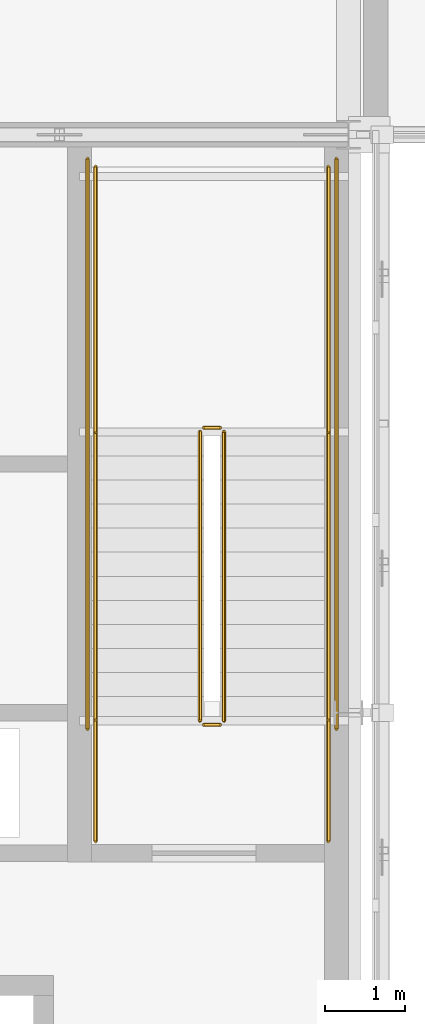
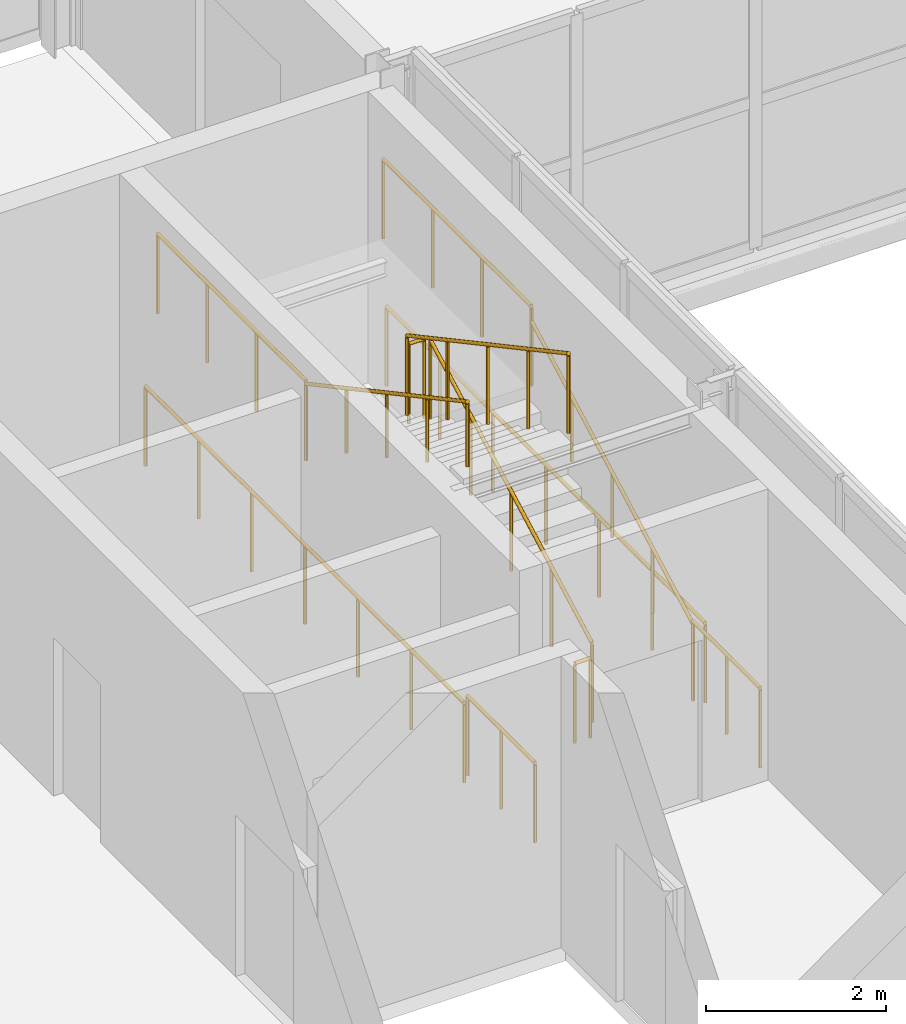
# One storey, part 120 of 126: 12 railings.
"""IFC4 building model written with IfcOpenShell, lengths in metres."""

from ifc_helpers import new_model, si_unit, direction, frame, origin, origin_2d, place, context, subcontext, project, spatial, circle, extrude, material, type_object, element, save


model = new_model("IFC4")

# Units and contexts
model_context = context("Model", 3, precision=1e-05, world=origin(), true_north=direction((0.0, 1.0)))
body_context = subcontext(model_context, "Body", "Model", "MODEL_VIEW")
ifc_project = project(units=[si_unit("LENGTHUNIT", "METRE"), si_unit("AREAUNIT", "SQUARE_METRE"), si_unit("VOLUMEUNIT", "CUBIC_METRE"), si_unit("PLANEANGLEUNIT", "RADIAN"), si_unit("MASSUNIT", "GRAM", prefix="KILO")], contexts=[model_context])

# Site, building, storey
site_placement = place(None, origin())
site = spatial("IfcSite", under=ifc_project, at=site_placement, CompositionType="ELEMENT")
building_placement = place(site_placement, origin())
building = spatial("IfcBuilding", under=site, at=building_placement, Name="Zlatovets Crest Museum", CompositionType="ELEMENT")
storey_placement = place(building_placement, frame((0.0, 0.0, 8.699951171875)))
storey = spatial("IfcBuildingStorey", under=building, at=storey_placement, Name="L02", CompositionType="ELEMENT", Elevation=8.699951171875)

# Railings
ifc_material_1 = material(Name="Painted steel safety guardrail", Category="steel")
railing_type_1 = type_object("IfcRailingType", Name="StairGuard_SG01", PredefinedType="GUARDRAIL", material=ifc_material_1)
railing_1_placement = place(storey_placement, frame((106.449951171875, 14.300048828125, 0.16162109375)))
element("IfcRailing", 1, at=railing_1_placement, inside=storey, type_object=railing_type_1, Name="L02 ST9 stair guard 1", PredefinedType="GUARDRAIL", context=body_context, shape_type="SweptSolid", body=[
    extrude(circle(Radius=0.02392578125, at=origin_2d()), frame((0.0, 0.0, 1.076171875), z_axis=(0.0, 0.880461512865, 0.474117627138), x_axis=(-1.0, 0.0, 0.0)), (0.0, 0.0, 1.0), 4.088623046875),
    extrude(circle(Radius=0.02099609375, at=origin_2d()), origin(), (0.0, 0.0, 1.0), 1.052001953125),
    extrude(circle(Radius=0.02099609375, at=origin_2d()), frame((0.0, 0.89990234375, 0.484619140625)), (0.0, 0.0, 1.0), 1.052001953125),
    extrude(circle(Radius=0.02099609375, at=origin_2d()), frame((0.0, 1.7998046875, 0.96923828125)), (0.0, 0.0, 1.0), 1.052001953125),
    extrude(circle(Radius=0.02099609375, at=origin_2d()), frame((0.0, 2.699951171875, 1.453857421875)), (0.0, 0.0, 1.0), 1.052001953125),
    extrude(circle(Radius=0.02099609375, at=origin_2d()), frame((0.0, 3.599853515625, 1.9384765625)), (0.0, 0.0, 1.0), 1.052001953125),
])
railing_2_placement = place(storey_placement, frame((106.39990234375, 17.949951171875, 2.10009765625)))
element("IfcRailing", 2, at=railing_2_placement, inside=storey, type_object=railing_type_1, Name="L02 ST9 stair guard 2", PredefinedType="GUARDRAIL", context=body_context, shape_type="SweptSolid", body=[
    extrude(circle(Radius=0.02392578125, at=origin_2d()), frame((0.0, 0.0, 1.076171875), z_axis=(-1.0, 0.0, 0.0), x_axis=(0.0, -1.0, 0.0)), (0.0, 0.0, 1.0), 0.199951171875),
    extrude(circle(Radius=0.02099609375, at=origin_2d()), origin(), (0.0, 0.0, 1.0), 1.052001953125),
    extrude(circle(Radius=0.02099609375, at=origin_2d()), frame((-0.199951171875, 0.0, 0.0)), (0.0, 0.0, 1.0), 1.052001953125),
])
for number, where, name in (
    (3, (107.75, 17.89990234375, 2.10009765625), "L02 ST9 stair guard 3"),
    (4, (104.85009765625, 17.89990234375, 2.10009765625), "L02 ST9 stair guard 4"),
):
    element("IfcRailing", number, at=place(storey_placement, frame(where)), inside=storey, type_object=railing_type_1, Name=name, PredefinedType="GUARDRAIL", context=body_context, shape_type="SweptSolid", body=[
        extrude(circle(Radius=0.02392578125, at=origin_2d()), frame((0.0, 0.0, 1.076171875), z_axis=(0.0, 1.0, 0.0), x_axis=(-1.0, 0.0, 0.0)), (0.0, 0.0, 1.0), 3.300048828125),
        extrude(circle(Radius=0.02099609375, at=origin_2d()), origin(), (0.0, 0.0, 1.0), 1.052001953125),
        extrude(circle(Radius=0.02099609375, at=origin_2d()), frame((0.0, 1.10009765625, 0.0)), (0.0, 0.0, 1.0), 1.052001953125),
        extrude(circle(Radius=0.02099609375, at=origin_2d()), frame((0.0, 2.199951171875, 0.0)), (0.0, 0.0, 1.0), 1.052001953125),
        extrude(circle(Radius=0.02099609375, at=origin_2d()), frame((0.0, 3.300048828125, 0.0)), (0.0, 0.0, 1.0), 1.052001953125),
    ])
railing_3_placement = place(storey_placement, frame((106.14990234375, 17.89990234375, 2.261474609375)))
element("IfcRailing", 5, at=railing_3_placement, inside=storey, type_object=railing_type_1, Name="L02 ST9 stair guard 5", PredefinedType="GUARDRAIL", context=body_context, shape_type="SweptSolid", body=[
    extrude(circle(Radius=0.02392578125, at=origin_2d()), frame((0.0, 0.0, 1.076171875), z_axis=(0.0, -0.880461512865, 0.474117627138), x_axis=(1.0, 0.0, 0.0)), (0.0, 0.0, 1.0), 4.088623046875),
    extrude(circle(Radius=0.02099609375, at=origin_2d()), origin(), (0.0, 0.0, 1.0), 1.052001953125),
    extrude(circle(Radius=0.02099609375, at=origin_2d()), frame((0.0, -0.89990234375, 0.484619140625)), (0.0, 0.0, 1.0), 1.052001953125),
    extrude(circle(Radius=0.02099609375, at=origin_2d()), frame((0.0, -1.7998046875, 0.96923828125)), (0.0, 0.0, 1.0), 1.052001953125),
    extrude(circle(Radius=0.02099609375, at=origin_2d()), frame((0.0, -2.699951171875, 1.453857421875)), (0.0, 0.0, 1.0), 1.052001953125),
    extrude(circle(Radius=0.02099609375, at=origin_2d()), frame((0.0, -3.599853515625, 1.9384765625)), (0.0, 0.0, 1.0), 1.052001953125),
])
railing_4_placement = place(storey_placement, frame((106.39990234375, 14.25, 0.0)))
element("IfcRailing", 6, at=railing_4_placement, inside=storey, type_object=railing_type_1, Name="L02 ST9 stair guard 6", PredefinedType="GUARDRAIL", context=body_context, shape_type="SweptSolid", body=[
    extrude(circle(Radius=0.02392578125, at=origin_2d()), frame((0.0, 0.0, 1.076171875), z_axis=(-1.0, 0.0, 0.0), x_axis=(0.0, -1.0, 0.0)), (0.0, 0.0, 1.0), 0.199951171875),
    extrude(circle(Radius=0.02099609375, at=origin_2d()), origin(), (0.0, 0.0, 1.0), 1.052001953125),
    extrude(circle(Radius=0.02099609375, at=origin_2d()), frame((-0.199951171875, 0.0, 0.0)), (0.0, 0.0, 1.0), 1.052001953125),
])
for number, where, name in (
    (7, (107.75, 12.800048828125, 0.0), "L02 ST9 stair guard 7"),
    (8, (104.85009765625, 12.800048828125, 0.0), "L02 ST9 stair guard 8"),
):
    element("IfcRailing", number, at=place(storey_placement, frame(where)), inside=storey, type_object=railing_type_1, Name=name, PredefinedType="GUARDRAIL", context=body_context, shape_type="SweptSolid", body=[
        extrude(circle(Radius=0.02392578125, at=origin_2d()), frame((0.0, 0.0, 1.076171875), z_axis=(0.0, 1.0, 0.0), x_axis=(-1.0, 0.0, 0.0)), (0.0, 0.0, 1.0), 1.5),
        extrude(circle(Radius=0.02099609375, at=origin_2d()), origin(), (0.0, 0.0, 1.0), 1.052001953125),
        extrude(circle(Radius=0.02099609375, at=origin_2d()), frame((0.0, 0.75, 0.0)), (0.0, 0.0, 1.0), 1.052001953125),
        extrude(circle(Radius=0.02099609375, at=origin_2d()), frame((0.0, 1.5, 0.0)), (0.0, 0.0, 1.0), 1.052001953125),
    ])
for number, where, name in (
    (9, (107.85009765625, 14.199951171875, 0.0), "L02 ST9 stair guard 9"),
    (10, (104.75, 14.199951171875, 0.0), "L02 ST9 stair guard 10"),
):
    element("IfcRailing", number, at=place(storey_placement, frame(where)), inside=storey, type_object=railing_type_1, Name=name, PredefinedType="GUARDRAIL", context=body_context, shape_type="SweptSolid", body=[
        extrude(circle(Radius=0.02392578125, at=origin_2d()), frame((0.0, 0.0, 1.076171875), z_axis=(0.0, 1.0, 0.0), x_axis=(-1.0, 0.0, 0.0)), (0.0, 0.0, 1.0), 7.10009765625),
        extrude(circle(Radius=0.02099609375, at=origin_2d()), origin(), (0.0, 0.0, 1.0), 1.052001953125),
        extrude(circle(Radius=0.02099609375, at=origin_2d()), frame((0.0, 1.183349609375, 0.0)), (0.0, 0.0, 1.0), 1.052001953125),
        extrude(circle(Radius=0.02099609375, at=origin_2d()), frame((0.0, 2.36669921875, 0.0)), (0.0, 0.0, 1.0), 1.052001953125),
        extrude(circle(Radius=0.02099609375, at=origin_2d()), frame((0.0, 3.550048828125, 0.0)), (0.0, 0.0, 1.0), 1.052001953125),
        extrude(circle(Radius=0.02099609375, at=origin_2d()), frame((0.0, 4.7333984375, 0.0)), (0.0, 0.0, 1.0), 1.052001953125),
        extrude(circle(Radius=0.02099609375, at=origin_2d()), frame((0.0, 5.916748046875, 0.0)), (0.0, 0.0, 1.0), 1.052001953125),
        extrude(circle(Radius=0.02099609375, at=origin_2d()), frame((0.0, 7.10009765625, 0.0)), (0.0, 0.0, 1.0), 1.052001953125),
    ])
ifc_material_2 = material(Name="Brushed bronze stair handrail")
railing_type_2 = type_object("IfcRailingType", Name="StairHandrail_SH01", PredefinedType="HANDRAIL", material=ifc_material_2)
railing_5_placement = place(storey_placement, frame((107.75, 14.300048828125, 0.16162109375)))
element("IfcRailing", 11, at=railing_5_placement, inside=storey, type_object=railing_type_2, Name="L02 ST9 stair handrail 1", PredefinedType="HANDRAIL", context=body_context, shape_type="SweptSolid", body=[
    extrude(circle(Radius=0.02392578125, at=origin_2d()), frame((0.0, 0.0, 0.8759765625), z_axis=(0.0, 0.880461512865, 0.474117627138), x_axis=(-1.0, 0.0, 0.0)), (0.0, 0.0, 1.0), 4.088623046875),
    extrude(circle(Radius=0.02099609375, at=origin_2d()), origin(), (0.0, 0.0, 1.0), 0.851806640625),
    extrude(circle(Radius=0.02099609375, at=origin_2d()), frame((0.0, 0.89990234375, 0.484619140625)), (0.0, 0.0, 1.0), 0.851806640625),
    extrude(circle(Radius=0.02099609375, at=origin_2d()), frame((0.0, 1.7998046875, 0.96923828125)), (0.0, 0.0, 1.0), 0.851806640625),
    extrude(circle(Radius=0.02099609375, at=origin_2d()), frame((0.0, 2.699951171875, 1.453857421875)), (0.0, 0.0, 1.0), 0.851806640625),
    extrude(circle(Radius=0.02099609375, at=origin_2d()), frame((0.0, 3.599853515625, 1.9384765625)), (0.0, 0.0, 1.0), 0.851806640625),
])
railing_6_placement = place(storey_placement, frame((104.85009765625, 17.89990234375, 2.261474609375)))
element("IfcRailing", 12, at=railing_6_placement, inside=storey, type_object=railing_type_2, Name="L02 ST9 stair handrail 2", PredefinedType="HANDRAIL", context=body_context, shape_type="SweptSolid", body=[
    extrude(circle(Radius=0.02392578125, at=origin_2d()), frame((0.0, 0.0, 0.8759765625), z_axis=(0.0, -0.880461512865, 0.474117627138), x_axis=(1.0, 0.0, 0.0)), (0.0, 0.0, 1.0), 4.088623046875),
    extrude(circle(Radius=0.02099609375, at=origin_2d()), origin(), (0.0, 0.0, 1.0), 0.851806640625),
    extrude(circle(Radius=0.02099609375, at=origin_2d()), frame((0.0, -0.89990234375, 0.484619140625)), (0.0, 0.0, 1.0), 0.851806640625),
    extrude(circle(Radius=0.02099609375, at=origin_2d()), frame((0.0, -1.7998046875, 0.96923828125)), (0.0, 0.0, 1.0), 0.851806640625),
    extrude(circle(Radius=0.02099609375, at=origin_2d()), frame((0.0, -2.699951171875, 1.453857421875)), (0.0, 0.0, 1.0), 0.851806640625),
    extrude(circle(Radius=0.02099609375, at=origin_2d()), frame((0.0, -3.599853515625, 1.9384765625)), (0.0, 0.0, 1.0), 0.851806640625),
])

save(model, "model.ifc")
